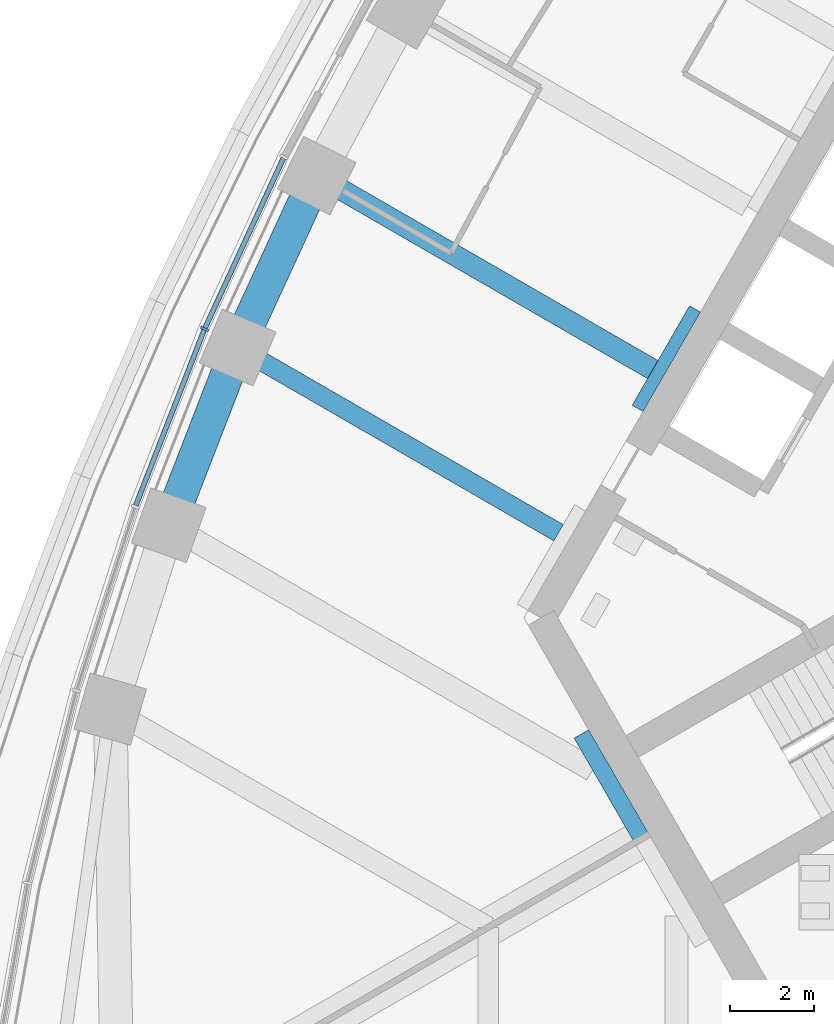
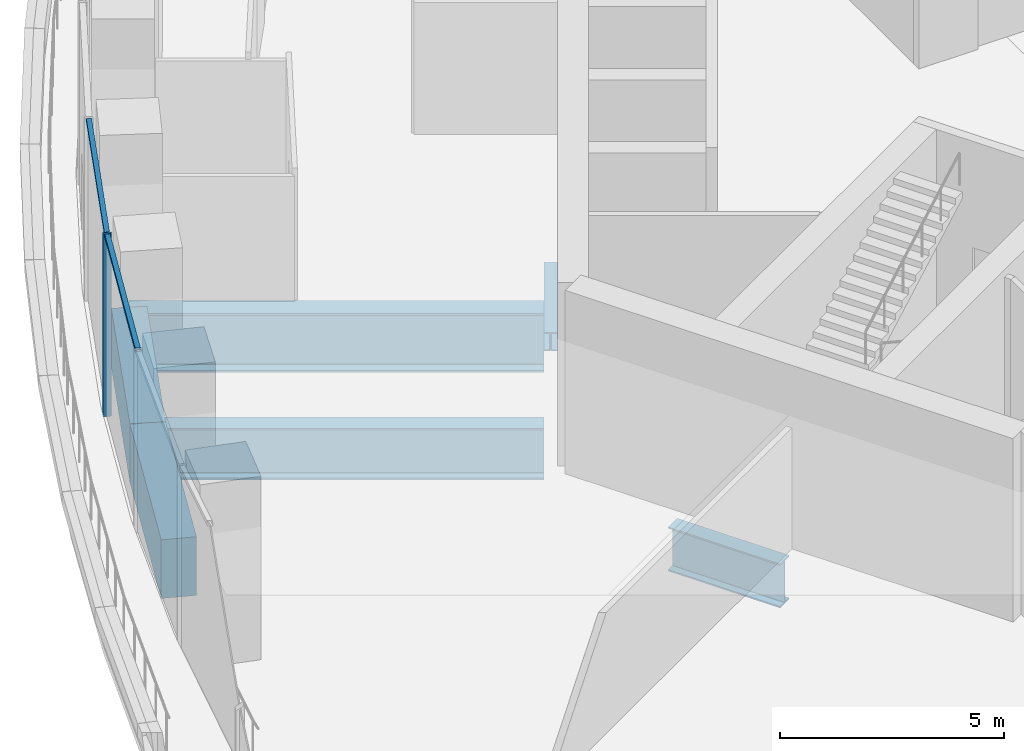
# One storey, part 3 of 26: 6 beams, 3 members, 1 element without a shape of its own.
"""IFC4 building model written with IfcOpenShell, lengths in metres."""

from ifc_helpers import new_model, si_unit, direction, frame, origin, origin_2d, place, context, subcontext, project, spatial, rectangle, i_section, extrude, material, material_profile, profile_set, type_object, element, aggregate, save


model = new_model("IFC4")

# Units and contexts
model_context = context("Model", 3, precision=1e-05, world=origin(), true_north=direction((0.0, 1.0)))
body_context = subcontext(model_context, "Body", "Model", "MODEL_VIEW")
ifc_project = project(units=[si_unit("LENGTHUNIT", "METRE"), si_unit("AREAUNIT", "SQUARE_METRE"), si_unit("VOLUMEUNIT", "CUBIC_METRE"), si_unit("PLANEANGLEUNIT", "RADIAN"), si_unit("MASSUNIT", "GRAM", prefix="KILO")], contexts=[model_context])

# Site, building, storey
site_placement = place(None, origin())
site = spatial("IfcSite", under=ifc_project, at=site_placement, CompositionType="ELEMENT")
building_placement = place(site_placement, origin())
building = spatial("IfcBuilding", under=site, at=building_placement, Name="Trefoil Bronze Tower", CompositionType="ELEMENT")
storey_placement = place(building_placement, frame((0.0, 0.0, 271.300048828125)))
storey = spatial("IfcBuildingStorey", under=building, at=storey_placement, Name="L62", CompositionType="ELEMENT", Elevation=271.300048828125)

# Curtain wall, members
ifc_material_1 = material(Name="Tinted solar-control glass", Category="glass")
curtain_wall_type = type_object("IfcCurtainWallType", Name="Bronze sky lobby curtain wall", PredefinedType="USERDEFINED", material=ifc_material_1)
curtain_wall_placement = place(storey_placement, origin())
curtain_wall = element("IfcCurtainWall", 1, at=curtain_wall_placement, inside=storey, type_object=curtain_wall_type, Name="CW-D L62 F3 run 3", ObjectType="CURTAIN WALL", PredefinedType="USERDEFINED")
ifc_material_2 = material(Name="Bronze-finish aluminium", Category="aluminium")
ifc_material_profile_1 = material_profile(ifc_material_2, rectangle(XDim=0.199951171875, YDim=0.06005859375, at=origin_2d()), Name="CW-D mullion")
ifc_profile_set_1 = profile_set([ifc_material_profile_1], Name="Bronze-finish aluminium")
member_type_1 = type_object("IfcMemberType", Name="Bronze sky lobby curtain wall mullion", PredefinedType="MULLION", material=ifc_profile_set_1)
member_1_placement = place(storey_placement, frame((-24.77490234375, 3.8974609375, 0.0), z_axis=(0.0, 0.0, 1.0), x_axis=(0.920205407004, -0.391435829888, 0.0)))
member_1 = element("IfcMember", 2, at=member_1_placement, type_object=member_type_1, Name="CW-D L62 F3 run 3 mullion 2", PredefinedType="MULLION", context=body_context, shape_type="SweptSolid", body=[
    extrude(rectangle(XDim=0.199951171875, YDim=0.06005859375, at=origin_2d()), origin(), (0.0, 0.0, 1.0), 4.97998046875),
])
ifc_material_3 = material(Name="Bronze-finish aluminium", Category="aluminium")
ifc_material_profile_2 = material_profile(ifc_material_3, rectangle(XDim=0.1201171875, YDim=0.10009765625, at=origin_2d()), Name="CW-D transom")
ifc_profile_set_2 = profile_set([ifc_material_profile_2], Name="Bronze-finish aluminium")
member_type_2 = type_object("IfcMemberType", Name="Bronze sky lobby curtain wall transom", PredefinedType="USERDEFINED", material=ifc_profile_set_2)
member_2_placement = place(storey_placement, frame((-22.891357421875, 7.975341796875, 4.929931640625), z_axis=(-0.419315109343, -0.907840756453, 0.0), x_axis=(0.907840756453, -0.419315109343, 0.0)))
member_2 = element("IfcMember", 3, at=member_2_placement, type_object=member_type_2, Name="CW-D L62 F3 run 3 transom 1", ObjectType="TRANSOM", PredefinedType="USERDEFINED", context=body_context, shape_type="SweptSolid", body=[
    extrude(rectangle(XDim=0.1201171875, YDim=0.10009765625, at=origin_2d()), origin(), (0.0, 0.0, 1.0), 4.458740234375),
])
member_3_placement = place(storey_placement, frame((-24.786865234375, 3.86669921875, 4.929931640625), z_axis=(-0.363196209907, -0.931712677336, 0.0), x_axis=(0.931712677336, -0.363196209907, 0.0)))
member_3 = element("IfcMember", 4, at=member_3_placement, type_object=member_type_2, Name="CW-D L62 F3 run 3 transom 2", ObjectType="TRANSOM", PredefinedType="USERDEFINED", context=body_context, shape_type="SweptSolid", body=[
    extrude(rectangle(XDim=0.1201171875, YDim=0.10009765625, at=origin_2d()), origin(), (0.0, 0.0, 1.0), 4.492431640625),
])
aggregate(curtain_wall, [member_1, member_2, member_3])

# Beams
ifc_material_4 = material(Name="Steel C355", Category="steel")
ifc_material_profile_3 = material_profile(ifc_material_4, i_section(OverallWidth=0.300048828125, OverallDepth=0.5, WebThickness=0.014404296875, FlangeThickness=0.028076171875, FilletRadius=0.027099609375, at=origin_2d()), Name="HEB 500")
ifc_profile_set_3 = profile_set([ifc_material_profile_3], Name="Steel C355")
beam_type_1 = type_object("IfcBeamType", Name="Core seat beam HEB 500", PredefinedType="BEAM", material=ifc_profile_set_3)
beam_1_placement = place(storey_placement, frame((-13.0625, 4.375, -0.449951171875), z_axis=(-0.500035825175, -0.866004719122, 0.0), x_axis=(0.866004719122, -0.500035825175, 0.0)))
element("IfcBeam", 5, at=beam_1_placement, inside=storey, type_object=beam_type_1, Name="Core seat beam F3/+1 L62", PredefinedType="BEAM", context=body_context, shape_type="SweptSolid", body=[
    extrude(i_section(OverallWidth=0.300048828125, OverallDepth=0.5, WebThickness=0.014404296875, FlangeThickness=0.028076171875, FilletRadius=0.027099609375, at=origin_2d()), origin(), (0.0, 0.0, 1.0), 2.742431640625),
])
ifc_material_5 = material(Name="Steel C355", Category="steel")
ifc_material_profile_4 = material_profile(ifc_material_5, i_section(OverallWidth=0.39990234375, OverallDepth=1.199951171875, WebThickness=0.02001953125, FlangeThickness=0.0400390625, FilletRadius=0.010009765625, at=origin_2d()), Name="WPG 1200")
ifc_profile_set_4 = profile_set([ifc_material_profile_4], Name="Steel C355")
beam_type_2 = type_object("IfcBeamType", Name="Core seat beam WPG 1200", PredefinedType="BEAM", material=ifc_profile_set_4)
beam_2_placement = place(storey_placement, frame((-15.776123046875, -5.77490234375, -0.800048828125), z_axis=(0.499995765644, -0.866027848477, 0.0), x_axis=(0.866027848477, 0.499995765644, 0.0)))
element("IfcBeam", 6, at=beam_2_placement, inside=storey, type_object=beam_type_2, Name="Core seat beam F3/+3 L62", PredefinedType="BEAM", context=body_context, shape_type="SweptSolid", body=[
    extrude(i_section(OverallWidth=0.39990234375, OverallDepth=1.199951171875, WebThickness=0.02001953125, FlangeThickness=0.0400390625, FilletRadius=0.010009765625, at=origin_2d()), origin(), (0.0, 0.0, 1.0), 2.88671875),
])
ifc_material_6 = material(Name="Steel C355", Category="steel")
ifc_material_profile_5 = material_profile(ifc_material_6, i_section(OverallWidth=0.449951171875, OverallDepth=1.39990234375, WebThickness=0.02294921875, FlangeThickness=0.044921875, FilletRadius=0.011962890625, at=origin_2d()), Name="WPG 1400")
ifc_profile_set_5 = profile_set([ifc_material_profile_5], Name="Steel C355")
beam_type_3 = type_object("IfcBeamType", Name="Floor beam WPG 1400", PredefinedType="BEAM", material=ifc_profile_set_5)
beam_3_placement = place(storey_placement, frame((-23.98486328125, 3.455322265625, -0.900146484375), z_axis=(0.866025701847, -0.499999483739, 0.0), x_axis=(0.499999483739, 0.866025701847, 0.0)))
element("IfcBeam", 7, at=beam_3_placement, inside=storey, type_object=beam_type_3, Name="Floor beam F3/+2 L62", PredefinedType="BEAM", context=body_context, shape_type="SweptSolid", body=[
    extrude(i_section(OverallWidth=0.449951171875, OverallDepth=1.39990234375, WebThickness=0.02294921875, FlangeThickness=0.044921875, FilletRadius=0.011962890625, at=origin_2d()), origin(), (0.0, 0.0, 1.0), 8.84912109375),
])
ifc_material_7 = material(Name="Steel C355", Category="steel")
ifc_material_profile_6 = material_profile(ifc_material_7, i_section(OverallWidth=0.5, OverallDepth=1.60009765625, WebThickness=0.02587890625, FlangeThickness=0.050048828125, FilletRadius=0.011962890625, at=origin_2d()), Name="WPG 1600")
ifc_profile_set_6 = profile_set([ifc_material_profile_6], Name="Steel C355")
beam_type_4 = type_object("IfcBeamType", Name="Floor beam WPG 1600", PredefinedType="BEAM", material=ifc_profile_set_6)
beam_4_placement = place(storey_placement, frame((-22.093994140625, 7.559814453125, -1.0), z_axis=(0.866028909405, -0.499993928037, 0.0), x_axis=(0.499993928037, 0.866028909405, 0.0)))
element("IfcBeam", 8, at=beam_4_placement, inside=storey, type_object=beam_type_4, Name="Floor beam F3/+1 L62", PredefinedType="BEAM", context=body_context, shape_type="SweptSolid", body=[
    extrude(i_section(OverallWidth=0.5, OverallDepth=1.60009765625, WebThickness=0.02587890625, FlangeThickness=0.050048828125, FilletRadius=0.011962890625, at=origin_2d()), origin(), (0.0, 0.0, 1.0), 9.263671875),
])
ifc_material_8 = material(Name="Concrete B80", Category="concrete")
ifc_material_profile_7 = material_profile(ifc_material_8, rectangle(XDim=0.800048828125, YDim=1.60009765625, at=origin_2d()), Name="RC 800x1600")
ifc_profile_set_7 = profile_set([ifc_material_profile_7], Name="Concrete B80")
beam_type_5 = type_object("IfcBeamType", Name="Spandrel beam RC 800x1600", PredefinedType="SPANDREL", material=ifc_profile_set_7)
beam_5_placement = place(storey_placement, frame((-22.093994140625, 7.559814453125, -1.0), z_axis=(-0.418417425199, -0.90825484215, 0.0), x_axis=(0.90825484215, -0.418417425199, 0.0)))
element("IfcBeam", 9, at=beam_5_placement, inside=storey, type_object=beam_type_5, Name="Spandrel F3.7 L62", PredefinedType="SPANDREL", context=body_context, shape_type="SweptSolid", body=[
    extrude(rectangle(XDim=0.800048828125, YDim=1.60009765625, at=origin_2d()), origin(), (0.0, 0.0, 1.0), 4.51904296875),
])
beam_6_placement = place(storey_placement, frame((-23.98486328125, 3.455322265625, -1.0), z_axis=(-0.361636286502, -0.932319256631, 0.0), x_axis=(0.932319256631, -0.361636286502, 0.0)))
element("IfcBeam", 10, at=beam_6_placement, inside=storey, type_object=beam_type_5, Name="Spandrel F3.8 L62", PredefinedType="SPANDREL", context=body_context, shape_type="SweptSolid", body=[
    extrude(rectangle(XDim=0.800048828125, YDim=1.60009765625, at=origin_2d()), origin(), (0.0, 0.0, 1.0), 4.553466796875),
])

save(model, "model.ifc")
